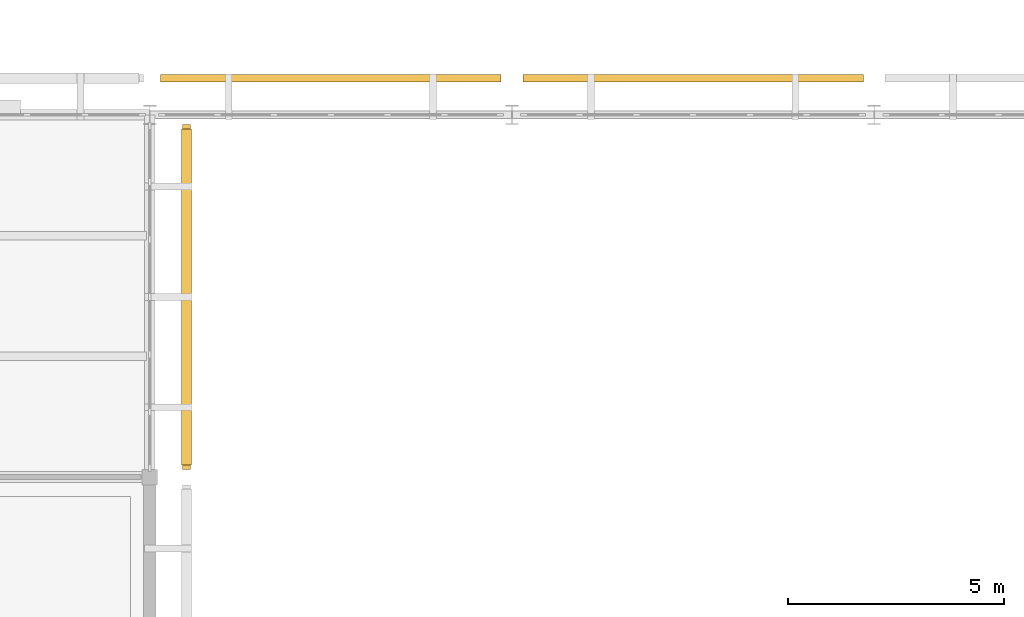
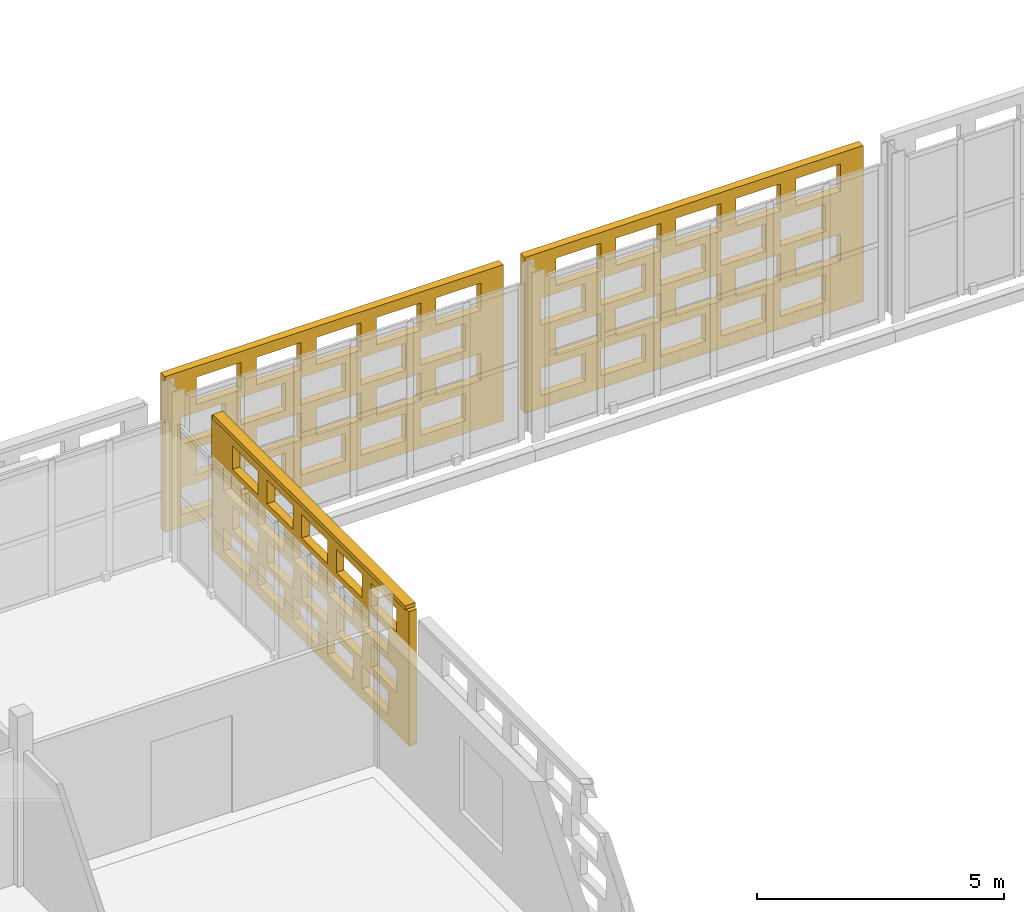
# One storey, part 126 of 140: 3 coverings, 1 shading device, 60 openings.
"""IFC4 building model written with IfcOpenShell, lengths in metres."""

from ifc_helpers import new_model, si_unit, direction, frame, frame_2d, origin, origin_2d, place, context, subcontext, project, spatial, rectangle, extrude, material, layer, layer_set, type_object, element, save


model = new_model("IFC4")

# Units and contexts
model_context = context("Model", 3, precision=1e-05, world=origin(), true_north=direction((0.0, 1.0)))
body_context = subcontext(model_context, "Body", "Model", "MODEL_VIEW")
ifc_project = project(units=[si_unit("LENGTHUNIT", "METRE"), si_unit("AREAUNIT", "SQUARE_METRE"), si_unit("VOLUMEUNIT", "CUBIC_METRE"), si_unit("PLANEANGLEUNIT", "RADIAN"), si_unit("MASSUNIT", "GRAM", prefix="KILO")], contexts=[model_context])

# Site, building, storey
site_placement = place(None, origin())
site = spatial("IfcSite", under=ifc_project, at=site_placement, CompositionType="ELEMENT")
building_placement = place(site_placement, origin())
building = spatial("IfcBuilding", under=site, at=building_placement, Name="Varnapada Polytechnic", CompositionType="ELEMENT")
storey_placement = place(building_placement, frame((0.0, 0.0, 13.800048828125)))
storey = spatial("IfcBuildingStorey", under=building, at=storey_placement, Name="L03", CompositionType="ELEMENT", Elevation=13.800048828125)

# Covering, openings
ifc_material = material(Name="Earth-toned architectural terracotta screen block", Category="masonry")
ifc_layer_1 = layer(ifc_material, 0.1201171875)
ifc_layer_set_1 = layer_set([ifc_layer_1], Name="Earth-toned architectural terracotta screen block")
covering_type = type_object("IfcCoveringType", Name="Terracotta Screen Cladding CLD-01", PredefinedType="CLADDING", material=ifc_layer_set_1)
covering_1_placement = place(storey_placement, frame((68.050048828125, 125.77490234375, 0.0), z_axis=(0.0, 0.0, 1.0), x_axis=(0.0, -1.0, 0.0)))
covering_1 = element("IfcCovering", 1, at=covering_1_placement, inside=storey, type_object=covering_type, Name="L03 perforated terracotta block screen (53)", PredefinedType="CLADDING", context=body_context, shape_type="SweptSolid", body=[
    extrude(rectangle(XDim=7.994873046875, YDim=0.179931640625, at=frame_2d((3.99755859375, 0.0))), origin(), (0.0, 0.0, 1.0), 3.320068359375),
])
opening_1_placement = place(covering_1_placement, frame((0.49755859375, 0.0, 0.265625)))
element("IfcOpeningElement", 2, at=opening_1_placement, cuts=covering_1, Name="Screen perforation TBS-L03-052.1", PredefinedType="OPENING", context=body_context, shape_type="SweptSolid", body=[
    extrude(rectangle(XDim=1.0400390625, YDim=0.5810546875, at=frame_2d((0.52001953125, 0.29052734375))), frame((0.0, 0.099853515625, 0.0), z_axis=(0.0, -1.0, 0.0), x_axis=(1.0, 0.0, 0.0)), (0.0, 0.0, 1.0), 0.199951171875),
])
opening_2_placement = place(covering_1_placement, frame((1.8974609375, 0.0, 0.265625)))
element("IfcOpeningElement", 3, at=opening_2_placement, cuts=covering_1, Name="Screen perforation TBS-L03-052.2", PredefinedType="OPENING", context=body_context, shape_type="SweptSolid", body=[
    extrude(rectangle(XDim=1.0400390625, YDim=0.5810546875, at=frame_2d((0.52001953125, 0.29052734375))), frame((0.0, 0.099853515625, 0.0), z_axis=(0.0, -1.0, 0.0), x_axis=(1.0, 0.0, 0.0)), (0.0, 0.0, 1.0), 0.199951171875),
])
opening_3_placement = place(covering_1_placement, frame((3.297607421875, 0.0, 0.265625)))
element("IfcOpeningElement", 4, at=opening_3_placement, cuts=covering_1, Name="Screen perforation TBS-L03-052.3", PredefinedType="OPENING", context=body_context, shape_type="SweptSolid", body=[
    extrude(rectangle(XDim=1.0400390625, YDim=0.5810546875, at=frame_2d((0.52001953125, 0.29052734375))), frame((0.0, 0.099853515625, 0.0), z_axis=(0.0, -1.0, 0.0), x_axis=(1.0, 0.0, 0.0)), (0.0, 0.0, 1.0), 0.199951171875),
])
opening_4_placement = place(covering_1_placement, frame((4.697509765625, 0.0, 0.265625)))
element("IfcOpeningElement", 5, at=opening_4_placement, cuts=covering_1, Name="Screen perforation TBS-L03-052.4", PredefinedType="OPENING", context=body_context, shape_type="SweptSolid", body=[
    extrude(rectangle(XDim=1.0400390625, YDim=0.5810546875, at=frame_2d((0.52001953125, 0.29052734375))), frame((0.0, 0.099853515625, 0.0), z_axis=(0.0, -1.0, 0.0), x_axis=(1.0, 0.0, 0.0)), (0.0, 0.0, 1.0), 0.199951171875),
])
opening_5_placement = place(covering_1_placement, frame((6.097412109375, 0.0, 0.265625)))
element("IfcOpeningElement", 6, at=opening_5_placement, cuts=covering_1, Name="Screen perforation TBS-L03-052.5", PredefinedType="OPENING", context=body_context, shape_type="SweptSolid", body=[
    extrude(rectangle(XDim=1.0400390625, YDim=0.5810546875, at=frame_2d((0.52001953125, 0.29052734375))), frame((0.0, 0.099853515625, 0.0), z_axis=(0.0, -1.0, 0.0), x_axis=(1.0, 0.0, 0.0)), (0.0, 0.0, 1.0), 0.199951171875),
])
opening_6_placement = place(covering_1_placement, frame((0.857421875, 0.0, 1.0126953125)))
element("IfcOpeningElement", 7, at=opening_6_placement, cuts=covering_1, Name="Screen perforation TBS-L03-052.6", PredefinedType="OPENING", context=body_context, shape_type="SweptSolid", body=[
    extrude(rectangle(XDim=1.0400390625, YDim=0.5810546875, at=frame_2d((0.52001953125, 0.29052734375))), frame((0.0, 0.099853515625, 0.0), z_axis=(0.0, -1.0, 0.0), x_axis=(1.0, 0.0, 0.0)), (0.0, 0.0, 1.0), 0.199951171875),
])
opening_7_placement = place(covering_1_placement, frame((2.257568359375, 0.0, 1.0126953125)))
element("IfcOpeningElement", 8, at=opening_7_placement, cuts=covering_1, Name="Screen perforation TBS-L03-052.7", PredefinedType="OPENING", context=body_context, shape_type="SweptSolid", body=[
    extrude(rectangle(XDim=1.0400390625, YDim=0.5810546875, at=frame_2d((0.52001953125, 0.29052734375))), frame((0.0, 0.099853515625, 0.0), z_axis=(0.0, -1.0, 0.0), x_axis=(1.0, 0.0, 0.0)), (0.0, 0.0, 1.0), 0.199951171875),
])
opening_8_placement = place(covering_1_placement, frame((3.657470703125, 0.0, 1.0126953125)))
element("IfcOpeningElement", 9, at=opening_8_placement, cuts=covering_1, Name="Screen perforation TBS-L03-052.8", PredefinedType="OPENING", context=body_context, shape_type="SweptSolid", body=[
    extrude(rectangle(XDim=1.0400390625, YDim=0.5810546875, at=frame_2d((0.52001953125, 0.29052734375))), frame((0.0, 0.099853515625, 0.0), z_axis=(0.0, -1.0, 0.0), x_axis=(1.0, 0.0, 0.0)), (0.0, 0.0, 1.0), 0.199951171875),
])
opening_9_placement = place(covering_1_placement, frame((5.0576171875, 0.0, 1.0126953125)))
element("IfcOpeningElement", 10, at=opening_9_placement, cuts=covering_1, Name="Screen perforation TBS-L03-052.9", PredefinedType="OPENING", context=body_context, shape_type="SweptSolid", body=[
    extrude(rectangle(XDim=1.0400390625, YDim=0.5810546875, at=frame_2d((0.52001953125, 0.29052734375))), frame((0.0, 0.099853515625, 0.0), z_axis=(0.0, -1.0, 0.0), x_axis=(1.0, 0.0, 0.0)), (0.0, 0.0, 1.0), 0.199951171875),
])
opening_10_placement = place(covering_1_placement, frame((6.45751953125, 0.0, 1.0126953125)))
element("IfcOpeningElement", 11, at=opening_10_placement, cuts=covering_1, Name="Screen perforation TBS-L03-052.10", PredefinedType="OPENING", context=body_context, shape_type="SweptSolid", body=[
    extrude(rectangle(XDim=1.0400390625, YDim=0.5810546875, at=frame_2d((0.52001953125, 0.29052734375))), frame((0.0, 0.099853515625, 0.0), z_axis=(0.0, -1.0, 0.0), x_axis=(1.0, 0.0, 0.0)), (0.0, 0.0, 1.0), 0.199951171875),
])
opening_11_placement = place(covering_1_placement, frame((0.49755859375, 0.0, 1.759521484375)))
element("IfcOpeningElement", 12, at=opening_11_placement, cuts=covering_1, Name="Screen perforation TBS-L03-052.11", PredefinedType="OPENING", context=body_context, shape_type="SweptSolid", body=[
    extrude(rectangle(XDim=1.0400390625, YDim=0.5810546875, at=frame_2d((0.52001953125, 0.29052734375))), frame((0.0, 0.099853515625, 0.0), z_axis=(0.0, -1.0, 0.0), x_axis=(1.0, 0.0, 0.0)), (0.0, 0.0, 1.0), 0.199951171875),
])
opening_12_placement = place(covering_1_placement, frame((1.8974609375, 0.0, 1.759521484375)))
element("IfcOpeningElement", 13, at=opening_12_placement, cuts=covering_1, Name="Screen perforation TBS-L03-052.12", PredefinedType="OPENING", context=body_context, shape_type="SweptSolid", body=[
    extrude(rectangle(XDim=1.0400390625, YDim=0.5810546875, at=frame_2d((0.52001953125, 0.29052734375))), frame((0.0, 0.099853515625, 0.0), z_axis=(0.0, -1.0, 0.0), x_axis=(1.0, 0.0, 0.0)), (0.0, 0.0, 1.0), 0.199951171875),
])
opening_13_placement = place(covering_1_placement, frame((3.297607421875, 0.0, 1.759521484375)))
element("IfcOpeningElement", 14, at=opening_13_placement, cuts=covering_1, Name="Screen perforation TBS-L03-052.13", PredefinedType="OPENING", context=body_context, shape_type="SweptSolid", body=[
    extrude(rectangle(XDim=1.0400390625, YDim=0.5810546875, at=frame_2d((0.52001953125, 0.29052734375))), frame((0.0, 0.099853515625, 0.0), z_axis=(0.0, -1.0, 0.0), x_axis=(1.0, 0.0, 0.0)), (0.0, 0.0, 1.0), 0.199951171875),
])
opening_14_placement = place(covering_1_placement, frame((4.697509765625, 0.0, 1.759521484375)))
element("IfcOpeningElement", 15, at=opening_14_placement, cuts=covering_1, Name="Screen perforation TBS-L03-052.14", PredefinedType="OPENING", context=body_context, shape_type="SweptSolid", body=[
    extrude(rectangle(XDim=1.0400390625, YDim=0.5810546875, at=frame_2d((0.52001953125, 0.29052734375))), frame((0.0, 0.099853515625, 0.0), z_axis=(0.0, -1.0, 0.0), x_axis=(1.0, 0.0, 0.0)), (0.0, 0.0, 1.0), 0.199951171875),
])
opening_15_placement = place(covering_1_placement, frame((6.097412109375, 0.0, 1.759521484375)))
element("IfcOpeningElement", 16, at=opening_15_placement, cuts=covering_1, Name="Screen perforation TBS-L03-052.15", PredefinedType="OPENING", context=body_context, shape_type="SweptSolid", body=[
    extrude(rectangle(XDim=1.0400390625, YDim=0.5810546875, at=frame_2d((0.52001953125, 0.29052734375))), frame((0.0, 0.099853515625, 0.0), z_axis=(0.0, -1.0, 0.0), x_axis=(1.0, 0.0, 0.0)), (0.0, 0.0, 1.0), 0.199951171875),
])
opening_16_placement = place(covering_1_placement, frame((0.857421875, 0.0, 2.506591796875)))
element("IfcOpeningElement", 17, at=opening_16_placement, cuts=covering_1, Name="Screen perforation TBS-L03-052.16", PredefinedType="OPENING", context=body_context, shape_type="SweptSolid", body=[
    extrude(rectangle(XDim=1.0400390625, YDim=0.5810546875, at=frame_2d((0.52001953125, 0.29052734375))), frame((0.0, 0.099853515625, 0.0), z_axis=(0.0, -1.0, 0.0), x_axis=(1.0, 0.0, 0.0)), (0.0, 0.0, 1.0), 0.199951171875),
])
opening_17_placement = place(covering_1_placement, frame((2.257568359375, 0.0, 2.506591796875)))
element("IfcOpeningElement", 18, at=opening_17_placement, cuts=covering_1, Name="Screen perforation TBS-L03-052.17", PredefinedType="OPENING", context=body_context, shape_type="SweptSolid", body=[
    extrude(rectangle(XDim=1.0400390625, YDim=0.5810546875, at=frame_2d((0.52001953125, 0.29052734375))), frame((0.0, 0.099853515625, 0.0), z_axis=(0.0, -1.0, 0.0), x_axis=(1.0, 0.0, 0.0)), (0.0, 0.0, 1.0), 0.199951171875),
])
opening_18_placement = place(covering_1_placement, frame((3.657470703125, 0.0, 2.506591796875)))
element("IfcOpeningElement", 19, at=opening_18_placement, cuts=covering_1, Name="Screen perforation TBS-L03-052.18", PredefinedType="OPENING", context=body_context, shape_type="SweptSolid", body=[
    extrude(rectangle(XDim=1.0400390625, YDim=0.5810546875, at=frame_2d((0.52001953125, 0.29052734375))), frame((0.0, 0.099853515625, 0.0), z_axis=(0.0, -1.0, 0.0), x_axis=(1.0, 0.0, 0.0)), (0.0, 0.0, 1.0), 0.199951171875),
])
opening_19_placement = place(covering_1_placement, frame((5.0576171875, 0.0, 2.506591796875)))
element("IfcOpeningElement", 20, at=opening_19_placement, cuts=covering_1, Name="Screen perforation TBS-L03-052.19", PredefinedType="OPENING", context=body_context, shape_type="SweptSolid", body=[
    extrude(rectangle(XDim=1.0400390625, YDim=0.5810546875, at=frame_2d((0.52001953125, 0.29052734375))), frame((0.0, 0.099853515625, 0.0), z_axis=(0.0, -1.0, 0.0), x_axis=(1.0, 0.0, 0.0)), (0.0, 0.0, 1.0), 0.199951171875),
])
opening_20_placement = place(covering_1_placement, frame((6.45751953125, 0.0, 2.506591796875)))
element("IfcOpeningElement", 21, at=opening_20_placement, cuts=covering_1, Name="Screen perforation TBS-L03-052.20", PredefinedType="OPENING", context=body_context, shape_type="SweptSolid", body=[
    extrude(rectangle(XDim=1.0400390625, YDim=0.5810546875, at=frame_2d((0.52001953125, 0.29052734375))), frame((0.0, 0.099853515625, 0.0), z_axis=(0.0, -1.0, 0.0), x_axis=(1.0, 0.0, 0.0)), (0.0, 0.0, 1.0), 0.199951171875),
])

covering_2_placement = place(storey_placement, frame((67.449951171875, 126.85009765625, 0.0), z_axis=(0.0, 0.0, 1.0), x_axis=(1.0, 0.0, 0.0)))
covering_2 = element("IfcCovering", 22, at=covering_2_placement, inside=storey, type_object=covering_type, Name="L03 high-bay workshop north terracotta screen 9", PredefinedType="CLADDING", context=body_context, shape_type="SweptSolid", body=[
    extrude(rectangle(XDim=7.900146484375, YDim=0.179931640625, at=frame_2d((3.9501953125, 0.0))), origin(), (0.0, 0.0, 1.0), 3.849853515625),
])
opening_21_placement = place(covering_2_placement, frame((0.3701171875, 0.0, 0.30810546875)))
element("IfcOpeningElement", 23, at=opening_21_placement, cuts=covering_2, Name="Screen perforation TBS-WK-L03-08.1", PredefinedType="OPENING", context=body_context, shape_type="SweptSolid", body=[
    extrude(rectangle(XDim=1.0400390625, YDim=0.673583984375, at=frame_2d((0.52001953125, 0.3369140625))), frame((0.0, 0.099853515625, 0.0), z_axis=(0.0, -1.0, 0.0), x_axis=(1.0, 0.0, 0.0)), (0.0, 0.0, 1.0), 0.199951171875),
])
opening_22_placement = place(covering_2_placement, frame((1.77001953125, 0.0, 0.30810546875)))
element("IfcOpeningElement", 24, at=opening_22_placement, cuts=covering_2, Name="Screen perforation TBS-WK-L03-08.2", PredefinedType="OPENING", context=body_context, shape_type="SweptSolid", body=[
    extrude(rectangle(XDim=1.0400390625, YDim=0.673583984375, at=frame_2d((0.52001953125, 0.3369140625))), frame((0.0, 0.099853515625, 0.0), z_axis=(0.0, -1.0, 0.0), x_axis=(1.0, 0.0, 0.0)), (0.0, 0.0, 1.0), 0.199951171875),
])
opening_23_placement = place(covering_2_placement, frame((3.169921875, 0.0, 0.30810546875)))
element("IfcOpeningElement", 25, at=opening_23_placement, cuts=covering_2, Name="Screen perforation TBS-WK-L03-08.3", PredefinedType="OPENING", context=body_context, shape_type="SweptSolid", body=[
    extrude(rectangle(XDim=1.0400390625, YDim=0.673583984375, at=frame_2d((0.52001953125, 0.3369140625))), frame((0.0, 0.099853515625, 0.0), z_axis=(0.0, -1.0, 0.0), x_axis=(1.0, 0.0, 0.0)), (0.0, 0.0, 1.0), 0.199951171875),
])
opening_24_placement = place(covering_2_placement, frame((4.570068359375, 0.0, 0.30810546875)))
element("IfcOpeningElement", 26, at=opening_24_placement, cuts=covering_2, Name="Screen perforation TBS-WK-L03-08.4", PredefinedType="OPENING", context=body_context, shape_type="SweptSolid", body=[
    extrude(rectangle(XDim=1.0400390625, YDim=0.673583984375, at=frame_2d((0.52001953125, 0.3369140625))), frame((0.0, 0.099853515625, 0.0), z_axis=(0.0, -1.0, 0.0), x_axis=(1.0, 0.0, 0.0)), (0.0, 0.0, 1.0), 0.199951171875),
])
opening_25_placement = place(covering_2_placement, frame((5.969970703125, 0.0, 0.30810546875)))
element("IfcOpeningElement", 27, at=opening_25_placement, cuts=covering_2, Name="Screen perforation TBS-WK-L03-08.5", PredefinedType="OPENING", context=body_context, shape_type="SweptSolid", body=[
    extrude(rectangle(XDim=1.0400390625, YDim=0.673583984375, at=frame_2d((0.52001953125, 0.3369140625))), frame((0.0, 0.099853515625, 0.0), z_axis=(0.0, -1.0, 0.0), x_axis=(1.0, 0.0, 0.0)), (0.0, 0.0, 1.0), 0.199951171875),
])
opening_26_placement = place(covering_2_placement, frame((0.72998046875, 0.0, 1.17431640625)))
element("IfcOpeningElement", 28, at=opening_26_placement, cuts=covering_2, Name="Screen perforation TBS-WK-L03-08.6", PredefinedType="OPENING", context=body_context, shape_type="SweptSolid", body=[
    extrude(rectangle(XDim=1.0400390625, YDim=0.673583984375, at=frame_2d((0.52001953125, 0.3369140625))), frame((0.0, 0.099853515625, 0.0), z_axis=(0.0, -1.0, 0.0), x_axis=(1.0, 0.0, 0.0)), (0.0, 0.0, 1.0), 0.199951171875),
])
opening_27_placement = place(covering_2_placement, frame((2.1298828125, 0.0, 1.17431640625)))
element("IfcOpeningElement", 29, at=opening_27_placement, cuts=covering_2, Name="Screen perforation TBS-WK-L03-08.7", PredefinedType="OPENING", context=body_context, shape_type="SweptSolid", body=[
    extrude(rectangle(XDim=1.0400390625, YDim=0.673583984375, at=frame_2d((0.52001953125, 0.3369140625))), frame((0.0, 0.099853515625, 0.0), z_axis=(0.0, -1.0, 0.0), x_axis=(1.0, 0.0, 0.0)), (0.0, 0.0, 1.0), 0.199951171875),
])
opening_28_placement = place(covering_2_placement, frame((3.530029296875, 0.0, 1.17431640625)))
element("IfcOpeningElement", 30, at=opening_28_placement, cuts=covering_2, Name="Screen perforation TBS-WK-L03-08.8", PredefinedType="OPENING", context=body_context, shape_type="SweptSolid", body=[
    extrude(rectangle(XDim=1.0400390625, YDim=0.673583984375, at=frame_2d((0.52001953125, 0.3369140625))), frame((0.0, 0.099853515625, 0.0), z_axis=(0.0, -1.0, 0.0), x_axis=(1.0, 0.0, 0.0)), (0.0, 0.0, 1.0), 0.199951171875),
])
opening_29_placement = place(covering_2_placement, frame((4.929931640625, 0.0, 1.17431640625)))
element("IfcOpeningElement", 31, at=opening_29_placement, cuts=covering_2, Name="Screen perforation TBS-WK-L03-08.9", PredefinedType="OPENING", context=body_context, shape_type="SweptSolid", body=[
    extrude(rectangle(XDim=1.0400390625, YDim=0.673583984375, at=frame_2d((0.52001953125, 0.3369140625))), frame((0.0, 0.099853515625, 0.0), z_axis=(0.0, -1.0, 0.0), x_axis=(1.0, 0.0, 0.0)), (0.0, 0.0, 1.0), 0.199951171875),
])
opening_30_placement = place(covering_2_placement, frame((6.330078125, 0.0, 1.17431640625)))
element("IfcOpeningElement", 32, at=opening_30_placement, cuts=covering_2, Name="Screen perforation TBS-WK-L03-08.10", PredefinedType="OPENING", context=body_context, shape_type="SweptSolid", body=[
    extrude(rectangle(XDim=1.0400390625, YDim=0.673583984375, at=frame_2d((0.52001953125, 0.3369140625))), frame((0.0, 0.099853515625, 0.0), z_axis=(0.0, -1.0, 0.0), x_axis=(1.0, 0.0, 0.0)), (0.0, 0.0, 1.0), 0.199951171875),
])
opening_31_placement = place(covering_2_placement, frame((0.3701171875, 0.0, 2.04052734375)))
element("IfcOpeningElement", 33, at=opening_31_placement, cuts=covering_2, Name="Screen perforation TBS-WK-L03-08.11", PredefinedType="OPENING", context=body_context, shape_type="SweptSolid", body=[
    extrude(rectangle(XDim=1.0400390625, YDim=0.673583984375, at=frame_2d((0.52001953125, 0.3369140625))), frame((0.0, 0.099853515625, 0.0), z_axis=(0.0, -1.0, 0.0), x_axis=(1.0, 0.0, 0.0)), (0.0, 0.0, 1.0), 0.199951171875),
])
opening_32_placement = place(covering_2_placement, frame((1.77001953125, 0.0, 2.04052734375)))
element("IfcOpeningElement", 34, at=opening_32_placement, cuts=covering_2, Name="Screen perforation TBS-WK-L03-08.12", PredefinedType="OPENING", context=body_context, shape_type="SweptSolid", body=[
    extrude(rectangle(XDim=1.0400390625, YDim=0.673583984375, at=frame_2d((0.52001953125, 0.3369140625))), frame((0.0, 0.099853515625, 0.0), z_axis=(0.0, -1.0, 0.0), x_axis=(1.0, 0.0, 0.0)), (0.0, 0.0, 1.0), 0.199951171875),
])
opening_33_placement = place(covering_2_placement, frame((3.169921875, 0.0, 2.04052734375)))
element("IfcOpeningElement", 35, at=opening_33_placement, cuts=covering_2, Name="Screen perforation TBS-WK-L03-08.13", PredefinedType="OPENING", context=body_context, shape_type="SweptSolid", body=[
    extrude(rectangle(XDim=1.0400390625, YDim=0.673583984375, at=frame_2d((0.52001953125, 0.3369140625))), frame((0.0, 0.099853515625, 0.0), z_axis=(0.0, -1.0, 0.0), x_axis=(1.0, 0.0, 0.0)), (0.0, 0.0, 1.0), 0.199951171875),
])
opening_34_placement = place(covering_2_placement, frame((4.570068359375, 0.0, 2.04052734375)))
element("IfcOpeningElement", 36, at=opening_34_placement, cuts=covering_2, Name="Screen perforation TBS-WK-L03-08.14", PredefinedType="OPENING", context=body_context, shape_type="SweptSolid", body=[
    extrude(rectangle(XDim=1.0400390625, YDim=0.673583984375, at=frame_2d((0.52001953125, 0.3369140625))), frame((0.0, 0.099853515625, 0.0), z_axis=(0.0, -1.0, 0.0), x_axis=(1.0, 0.0, 0.0)), (0.0, 0.0, 1.0), 0.199951171875),
])
opening_35_placement = place(covering_2_placement, frame((5.969970703125, 0.0, 2.04052734375)))
element("IfcOpeningElement", 37, at=opening_35_placement, cuts=covering_2, Name="Screen perforation TBS-WK-L03-08.15", PredefinedType="OPENING", context=body_context, shape_type="SweptSolid", body=[
    extrude(rectangle(XDim=1.0400390625, YDim=0.673583984375, at=frame_2d((0.52001953125, 0.3369140625))), frame((0.0, 0.099853515625, 0.0), z_axis=(0.0, -1.0, 0.0), x_axis=(1.0, 0.0, 0.0)), (0.0, 0.0, 1.0), 0.199951171875),
])
opening_36_placement = place(covering_2_placement, frame((0.72998046875, 0.0, 2.90673828125)))
element("IfcOpeningElement", 38, at=opening_36_placement, cuts=covering_2, Name="Screen perforation TBS-WK-L03-08.16", PredefinedType="OPENING", context=body_context, shape_type="SweptSolid", body=[
    extrude(rectangle(XDim=1.0400390625, YDim=0.673583984375, at=frame_2d((0.52001953125, 0.3369140625))), frame((0.0, 0.099853515625, 0.0), z_axis=(0.0, -1.0, 0.0), x_axis=(1.0, 0.0, 0.0)), (0.0, 0.0, 1.0), 0.199951171875),
])
opening_37_placement = place(covering_2_placement, frame((2.1298828125, 0.0, 2.90673828125)))
element("IfcOpeningElement", 39, at=opening_37_placement, cuts=covering_2, Name="Screen perforation TBS-WK-L03-08.17", PredefinedType="OPENING", context=body_context, shape_type="SweptSolid", body=[
    extrude(rectangle(XDim=1.0400390625, YDim=0.673583984375, at=frame_2d((0.52001953125, 0.3369140625))), frame((0.0, 0.099853515625, 0.0), z_axis=(0.0, -1.0, 0.0), x_axis=(1.0, 0.0, 0.0)), (0.0, 0.0, 1.0), 0.199951171875),
])
opening_38_placement = place(covering_2_placement, frame((3.530029296875, 0.0, 2.90673828125)))
element("IfcOpeningElement", 40, at=opening_38_placement, cuts=covering_2, Name="Screen perforation TBS-WK-L03-08.18", PredefinedType="OPENING", context=body_context, shape_type="SweptSolid", body=[
    extrude(rectangle(XDim=1.0400390625, YDim=0.673583984375, at=frame_2d((0.52001953125, 0.3369140625))), frame((0.0, 0.099853515625, 0.0), z_axis=(0.0, -1.0, 0.0), x_axis=(1.0, 0.0, 0.0)), (0.0, 0.0, 1.0), 0.199951171875),
])
opening_39_placement = place(covering_2_placement, frame((4.929931640625, 0.0, 2.90673828125)))
element("IfcOpeningElement", 41, at=opening_39_placement, cuts=covering_2, Name="Screen perforation TBS-WK-L03-08.19", PredefinedType="OPENING", context=body_context, shape_type="SweptSolid", body=[
    extrude(rectangle(XDim=1.0400390625, YDim=0.673583984375, at=frame_2d((0.52001953125, 0.3369140625))), frame((0.0, 0.099853515625, 0.0), z_axis=(0.0, -1.0, 0.0), x_axis=(1.0, 0.0, 0.0)), (0.0, 0.0, 1.0), 0.199951171875),
])
opening_40_placement = place(covering_2_placement, frame((6.330078125, 0.0, 2.90673828125)))
element("IfcOpeningElement", 42, at=opening_40_placement, cuts=covering_2, Name="Screen perforation TBS-WK-L03-08.20", PredefinedType="OPENING", context=body_context, shape_type="SweptSolid", body=[
    extrude(rectangle(XDim=1.0400390625, YDim=0.673583984375, at=frame_2d((0.52001953125, 0.3369140625))), frame((0.0, 0.099853515625, 0.0), z_axis=(0.0, -1.0, 0.0), x_axis=(1.0, 0.0, 0.0)), (0.0, 0.0, 1.0), 0.199951171875),
])

covering_3_placement = place(storey_placement, frame((75.85009765625, 126.85009765625, 0.0), z_axis=(0.0, 0.0, 1.0), x_axis=(1.0, 0.0, 0.0)))
covering_3 = element("IfcCovering", 43, at=covering_3_placement, inside=storey, type_object=covering_type, Name="L03 high-bay workshop north terracotta screen 10", PredefinedType="CLADDING", context=body_context, shape_type="SweptSolid", body=[
    extrude(rectangle(XDim=7.89990234375, YDim=0.179931640625, at=frame_2d((3.949951171875, 0.0))), origin(), (0.0, 0.0, 1.0), 3.849853515625),
])
opening_41_placement = place(covering_3_placement, frame((0.3701171875, 0.0, 0.30810546875)))
element("IfcOpeningElement", 44, at=opening_41_placement, cuts=covering_3, Name="Screen perforation TBS-WK-L03-09.1", PredefinedType="OPENING", context=body_context, shape_type="SweptSolid", body=[
    extrude(rectangle(XDim=1.0400390625, YDim=0.673583984375, at=frame_2d((0.52001953125, 0.3369140625))), frame((0.0, 0.099853515625, 0.0), z_axis=(0.0, -1.0, 0.0), x_axis=(1.0, 0.0, 0.0)), (0.0, 0.0, 1.0), 0.199951171875),
])
opening_42_placement = place(covering_3_placement, frame((1.77001953125, 0.0, 0.30810546875)))
element("IfcOpeningElement", 45, at=opening_42_placement, cuts=covering_3, Name="Screen perforation TBS-WK-L03-09.2", PredefinedType="OPENING", context=body_context, shape_type="SweptSolid", body=[
    extrude(rectangle(XDim=1.0400390625, YDim=0.673583984375, at=frame_2d((0.52001953125, 0.3369140625))), frame((0.0, 0.099853515625, 0.0), z_axis=(0.0, -1.0, 0.0), x_axis=(1.0, 0.0, 0.0)), (0.0, 0.0, 1.0), 0.199951171875),
])
opening_43_placement = place(covering_3_placement, frame((3.169921875, 0.0, 0.30810546875)))
element("IfcOpeningElement", 46, at=opening_43_placement, cuts=covering_3, Name="Screen perforation TBS-WK-L03-09.3", PredefinedType="OPENING", context=body_context, shape_type="SweptSolid", body=[
    extrude(rectangle(XDim=1.0400390625, YDim=0.673583984375, at=frame_2d((0.52001953125, 0.3369140625))), frame((0.0, 0.099853515625, 0.0), z_axis=(0.0, -1.0, 0.0), x_axis=(1.0, 0.0, 0.0)), (0.0, 0.0, 1.0), 0.199951171875),
])
opening_44_placement = place(covering_3_placement, frame((4.570068359375, 0.0, 0.30810546875)))
element("IfcOpeningElement", 47, at=opening_44_placement, cuts=covering_3, Name="Screen perforation TBS-WK-L03-09.4", PredefinedType="OPENING", context=body_context, shape_type="SweptSolid", body=[
    extrude(rectangle(XDim=1.0400390625, YDim=0.673583984375, at=frame_2d((0.52001953125, 0.3369140625))), frame((0.0, 0.099853515625, 0.0), z_axis=(0.0, -1.0, 0.0), x_axis=(1.0, 0.0, 0.0)), (0.0, 0.0, 1.0), 0.199951171875),
])
opening_45_placement = place(covering_3_placement, frame((5.969970703125, 0.0, 0.30810546875)))
element("IfcOpeningElement", 48, at=opening_45_placement, cuts=covering_3, Name="Screen perforation TBS-WK-L03-09.5", PredefinedType="OPENING", context=body_context, shape_type="SweptSolid", body=[
    extrude(rectangle(XDim=1.0400390625, YDim=0.673583984375, at=frame_2d((0.52001953125, 0.3369140625))), frame((0.0, 0.099853515625, 0.0), z_axis=(0.0, -1.0, 0.0), x_axis=(1.0, 0.0, 0.0)), (0.0, 0.0, 1.0), 0.199951171875),
])
opening_46_placement = place(covering_3_placement, frame((0.72998046875, 0.0, 1.17431640625)))
element("IfcOpeningElement", 49, at=opening_46_placement, cuts=covering_3, Name="Screen perforation TBS-WK-L03-09.6", PredefinedType="OPENING", context=body_context, shape_type="SweptSolid", body=[
    extrude(rectangle(XDim=1.0400390625, YDim=0.673583984375, at=frame_2d((0.52001953125, 0.3369140625))), frame((0.0, 0.099853515625, 0.0), z_axis=(0.0, -1.0, 0.0), x_axis=(1.0, 0.0, 0.0)), (0.0, 0.0, 1.0), 0.199951171875),
])
opening_47_placement = place(covering_3_placement, frame((2.1298828125, 0.0, 1.17431640625)))
element("IfcOpeningElement", 50, at=opening_47_placement, cuts=covering_3, Name="Screen perforation TBS-WK-L03-09.7", PredefinedType="OPENING", context=body_context, shape_type="SweptSolid", body=[
    extrude(rectangle(XDim=1.0400390625, YDim=0.673583984375, at=frame_2d((0.52001953125, 0.3369140625))), frame((0.0, 0.099853515625, 0.0), z_axis=(0.0, -1.0, 0.0), x_axis=(1.0, 0.0, 0.0)), (0.0, 0.0, 1.0), 0.199951171875),
])
opening_48_placement = place(covering_3_placement, frame((3.530029296875, 0.0, 1.17431640625)))
element("IfcOpeningElement", 51, at=opening_48_placement, cuts=covering_3, Name="Screen perforation TBS-WK-L03-09.8", PredefinedType="OPENING", context=body_context, shape_type="SweptSolid", body=[
    extrude(rectangle(XDim=1.0400390625, YDim=0.673583984375, at=frame_2d((0.52001953125, 0.3369140625))), frame((0.0, 0.099853515625, 0.0), z_axis=(0.0, -1.0, 0.0), x_axis=(1.0, 0.0, 0.0)), (0.0, 0.0, 1.0), 0.199951171875),
])
opening_49_placement = place(covering_3_placement, frame((4.929931640625, 0.0, 1.17431640625)))
element("IfcOpeningElement", 52, at=opening_49_placement, cuts=covering_3, Name="Screen perforation TBS-WK-L03-09.9", PredefinedType="OPENING", context=body_context, shape_type="SweptSolid", body=[
    extrude(rectangle(XDim=1.0400390625, YDim=0.673583984375, at=frame_2d((0.52001953125, 0.3369140625))), frame((0.0, 0.099853515625, 0.0), z_axis=(0.0, -1.0, 0.0), x_axis=(1.0, 0.0, 0.0)), (0.0, 0.0, 1.0), 0.199951171875),
])
opening_50_placement = place(covering_3_placement, frame((6.330078125, 0.0, 1.17431640625)))
element("IfcOpeningElement", 53, at=opening_50_placement, cuts=covering_3, Name="Screen perforation TBS-WK-L03-09.10", PredefinedType="OPENING", context=body_context, shape_type="SweptSolid", body=[
    extrude(rectangle(XDim=1.0400390625, YDim=0.673583984375, at=frame_2d((0.52001953125, 0.3369140625))), frame((0.0, 0.099853515625, 0.0), z_axis=(0.0, -1.0, 0.0), x_axis=(1.0, 0.0, 0.0)), (0.0, 0.0, 1.0), 0.199951171875),
])
opening_51_placement = place(covering_3_placement, frame((0.3701171875, 0.0, 2.04052734375)))
element("IfcOpeningElement", 54, at=opening_51_placement, cuts=covering_3, Name="Screen perforation TBS-WK-L03-09.11", PredefinedType="OPENING", context=body_context, shape_type="SweptSolid", body=[
    extrude(rectangle(XDim=1.0400390625, YDim=0.673583984375, at=frame_2d((0.52001953125, 0.3369140625))), frame((0.0, 0.099853515625, 0.0), z_axis=(0.0, -1.0, 0.0), x_axis=(1.0, 0.0, 0.0)), (0.0, 0.0, 1.0), 0.199951171875),
])
opening_52_placement = place(covering_3_placement, frame((1.77001953125, 0.0, 2.04052734375)))
element("IfcOpeningElement", 55, at=opening_52_placement, cuts=covering_3, Name="Screen perforation TBS-WK-L03-09.12", PredefinedType="OPENING", context=body_context, shape_type="SweptSolid", body=[
    extrude(rectangle(XDim=1.0400390625, YDim=0.673583984375, at=frame_2d((0.52001953125, 0.3369140625))), frame((0.0, 0.099853515625, 0.0), z_axis=(0.0, -1.0, 0.0), x_axis=(1.0, 0.0, 0.0)), (0.0, 0.0, 1.0), 0.199951171875),
])
opening_53_placement = place(covering_3_placement, frame((3.169921875, 0.0, 2.04052734375)))
element("IfcOpeningElement", 56, at=opening_53_placement, cuts=covering_3, Name="Screen perforation TBS-WK-L03-09.13", PredefinedType="OPENING", context=body_context, shape_type="SweptSolid", body=[
    extrude(rectangle(XDim=1.0400390625, YDim=0.673583984375, at=frame_2d((0.52001953125, 0.3369140625))), frame((0.0, 0.099853515625, 0.0), z_axis=(0.0, -1.0, 0.0), x_axis=(1.0, 0.0, 0.0)), (0.0, 0.0, 1.0), 0.199951171875),
])
opening_54_placement = place(covering_3_placement, frame((4.570068359375, 0.0, 2.04052734375)))
element("IfcOpeningElement", 57, at=opening_54_placement, cuts=covering_3, Name="Screen perforation TBS-WK-L03-09.14", PredefinedType="OPENING", context=body_context, shape_type="SweptSolid", body=[
    extrude(rectangle(XDim=1.0400390625, YDim=0.673583984375, at=frame_2d((0.52001953125, 0.3369140625))), frame((0.0, 0.099853515625, 0.0), z_axis=(0.0, -1.0, 0.0), x_axis=(1.0, 0.0, 0.0)), (0.0, 0.0, 1.0), 0.199951171875),
])
opening_55_placement = place(covering_3_placement, frame((5.969970703125, 0.0, 2.04052734375)))
element("IfcOpeningElement", 58, at=opening_55_placement, cuts=covering_3, Name="Screen perforation TBS-WK-L03-09.15", PredefinedType="OPENING", context=body_context, shape_type="SweptSolid", body=[
    extrude(rectangle(XDim=1.0400390625, YDim=0.673583984375, at=frame_2d((0.52001953125, 0.3369140625))), frame((0.0, 0.099853515625, 0.0), z_axis=(0.0, -1.0, 0.0), x_axis=(1.0, 0.0, 0.0)), (0.0, 0.0, 1.0), 0.199951171875),
])
opening_56_placement = place(covering_3_placement, frame((0.72998046875, 0.0, 2.90673828125)))
element("IfcOpeningElement", 59, at=opening_56_placement, cuts=covering_3, Name="Screen perforation TBS-WK-L03-09.16", PredefinedType="OPENING", context=body_context, shape_type="SweptSolid", body=[
    extrude(rectangle(XDim=1.0400390625, YDim=0.673583984375, at=frame_2d((0.52001953125, 0.3369140625))), frame((0.0, 0.099853515625, 0.0), z_axis=(0.0, -1.0, 0.0), x_axis=(1.0, 0.0, 0.0)), (0.0, 0.0, 1.0), 0.199951171875),
])
opening_57_placement = place(covering_3_placement, frame((2.1298828125, 0.0, 2.90673828125)))
element("IfcOpeningElement", 60, at=opening_57_placement, cuts=covering_3, Name="Screen perforation TBS-WK-L03-09.17", PredefinedType="OPENING", context=body_context, shape_type="SweptSolid", body=[
    extrude(rectangle(XDim=1.0400390625, YDim=0.673583984375, at=frame_2d((0.52001953125, 0.3369140625))), frame((0.0, 0.099853515625, 0.0), z_axis=(0.0, -1.0, 0.0), x_axis=(1.0, 0.0, 0.0)), (0.0, 0.0, 1.0), 0.199951171875),
])
opening_58_placement = place(covering_3_placement, frame((3.530029296875, 0.0, 2.90673828125)))
element("IfcOpeningElement", 61, at=opening_58_placement, cuts=covering_3, Name="Screen perforation TBS-WK-L03-09.18", PredefinedType="OPENING", context=body_context, shape_type="SweptSolid", body=[
    extrude(rectangle(XDim=1.0400390625, YDim=0.673583984375, at=frame_2d((0.52001953125, 0.3369140625))), frame((0.0, 0.099853515625, 0.0), z_axis=(0.0, -1.0, 0.0), x_axis=(1.0, 0.0, 0.0)), (0.0, 0.0, 1.0), 0.199951171875),
])
opening_59_placement = place(covering_3_placement, frame((4.929931640625, 0.0, 2.90673828125)))
element("IfcOpeningElement", 62, at=opening_59_placement, cuts=covering_3, Name="Screen perforation TBS-WK-L03-09.19", PredefinedType="OPENING", context=body_context, shape_type="SweptSolid", body=[
    extrude(rectangle(XDim=1.0400390625, YDim=0.673583984375, at=frame_2d((0.52001953125, 0.3369140625))), frame((0.0, 0.099853515625, 0.0), z_axis=(0.0, -1.0, 0.0), x_axis=(1.0, 0.0, 0.0)), (0.0, 0.0, 1.0), 0.199951171875),
])
opening_60_placement = place(covering_3_placement, frame((6.330078125, 0.0, 2.90673828125)))
element("IfcOpeningElement", 63, at=opening_60_placement, cuts=covering_3, Name="Screen perforation TBS-WK-L03-09.20", PredefinedType="OPENING", context=body_context, shape_type="SweptSolid", body=[
    extrude(rectangle(XDim=1.0400390625, YDim=0.673583984375, at=frame_2d((0.52001953125, 0.3369140625))), frame((0.0, 0.099853515625, 0.0), z_axis=(0.0, -1.0, 0.0), x_axis=(1.0, 0.0, 0.0)), (0.0, 0.0, 1.0), 0.199951171875),
])

# Shading device
ifc_layer_2 = layer(ifc_material, 0.179931640625)
ifc_layer_set_2 = layer_set([ifc_layer_2], Name="Earth-toned architectural terracotta screen block")
shading_device_type = type_object("IfcShadingDeviceType", Name="Terracotta Screen SCR-01", PredefinedType="USERDEFINED", material=ifc_layer_set_2)
shading_device_placement = place(storey_placement, frame((68.050048828125, 121.777587890625, 3.309814453125), z_axis=(0.0, 0.0, 1.0), x_axis=(0.0, -1.0, 0.0)))
element("IfcShadingDevice", 64, at=shading_device_placement, inside=storey, type_object=shading_device_type, Name="L03 perforated terracotta screen hood 383", ObjectType="SCREEN", PredefinedType="USERDEFINED", context=body_context, shape_type="SweptSolid", body=[
    extrude(rectangle(XDim=7.794921875, YDim=0.239990234375, at=origin_2d()), origin(), (0.0, 0.0, 1.0), 0.10009765625),
])

save(model, "model.ifc")
